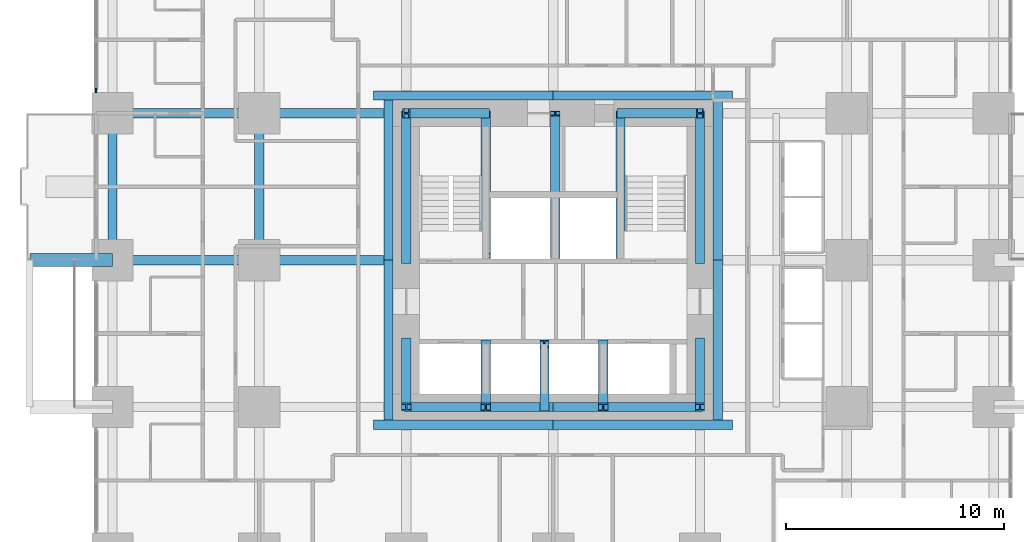
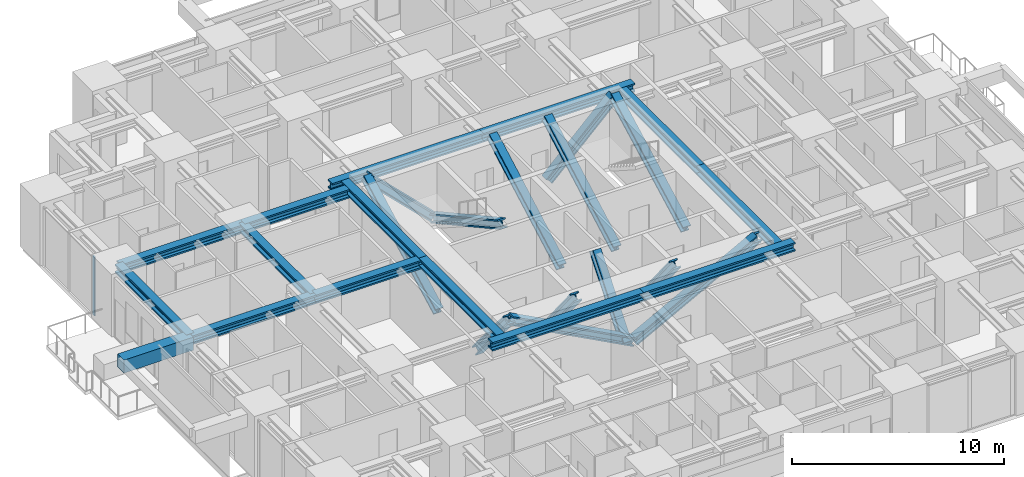
# One storey, part 3 of 14: 15 beams, 15 members, 1 element without a shape of its own.
"""IFC4 building model written with IfcOpenShell, lengths in metres."""

from ifc_helpers import new_model, si_unit, direction, frame, origin, origin_2d, place, context, subcontext, project, spatial, rectangle, i_section, extrude, material, material_profile, profile_set, type_object, element, aggregate, save


model = new_model("IFC4")

# Units and contexts
model_context = context("Model", 3, precision=1e-05, world=origin(), true_north=direction((0.0, 1.0)))
body_context = subcontext(model_context, "Body", "Model", "MODEL_VIEW")
ifc_project = project(units=[si_unit("LENGTHUNIT", "METRE"), si_unit("AREAUNIT", "SQUARE_METRE"), si_unit("VOLUMEUNIT", "CUBIC_METRE"), si_unit("PLANEANGLEUNIT", "RADIAN"), si_unit("MASSUNIT", "GRAM", prefix="KILO")], contexts=[model_context])

# Site, building, storey
site_placement = place(None, origin())
site = spatial("IfcSite", under=ifc_project, at=site_placement, CompositionType="ELEMENT")
building_placement = place(site_placement, origin())
building = spatial("IfcBuilding", under=site, at=building_placement, Name="Nyansa Garden Tower", CompositionType="ELEMENT")
storey_placement = place(building_placement, frame((0.0, 0.0, 21.60009765625)))
storey = spatial("IfcBuildingStorey", under=building, at=storey_placement, Name="L05", CompositionType="ELEMENT", Elevation=21.60009765625)

# Beam
ifc_material_1 = material(Name="Concrete C70/85", Category="concrete")
ifc_material_profile_1 = material_profile(ifc_material_1, rectangle(XDim=0.60009765625, YDim=0.75, at=origin_2d()), Name="RC 600x750")
ifc_profile_set_1 = profile_set([ifc_material_profile_1], Name="Concrete C70/85")
beam_type_1 = type_object("IfcBeamType", Name="Balcony cantilever beam CB1 RC 600x750", PredefinedType="BEAM", material=ifc_profile_set_1)
beam_1_placement = place(storey_placement, frame((0.0, 20.25, 2.98486328125), z_axis=(-1.0, 0.0, 0.0), x_axis=(0.0, -1.0, 0.0)))
element("IfcBeam", 1, at=beam_1_placement, inside=storey, type_object=beam_type_1, Name="Balcony cantilever beam L06", PredefinedType="BEAM", context=body_context, shape_type="SweptSolid", body=[
    extrude(rectangle(XDim=0.60009765625, YDim=0.75, at=origin_2d()), origin(), (0.0, 0.0, 1.0), 3.800048828125),
])

# Curtain wall, member
ifc_material_2 = material(Name="Black anodised aluminium, dark tinted double glazing", Category="aluminium")
curtain_wall_type = type_object("IfcCurtainWallType", Name="Inner skin curtain wall ISW-A", PredefinedType="USERDEFINED", material=ifc_material_2)
curtain_wall_placement = place(storey_placement, origin())
curtain_wall = element("IfcCurtainWall", 2, at=curtain_wall_placement, inside=storey, type_object=curtain_wall_type, Name="Inner skin curtain wall L05 W", ObjectType="UNITISED CURTAIN WALL", PredefinedType="USERDEFINED")
ifc_material_3 = material(Name="Black anodised aluminium", Category="aluminium")
ifc_material_profile_2 = material_profile(ifc_material_3, rectangle(XDim=0.06494140625, YDim=0.199951171875, at=origin_2d()), Name="Mullion 200x65")
ifc_profile_set_2 = profile_set([ifc_material_profile_2], Name="Black anodised aluminium")
member_type_1 = type_object("IfcMemberType", Name="Mullion ISW-A 200x65", PredefinedType="MULLION", material=ifc_profile_set_2)
member_1_placement = place(storey_placement, frame((-0.75, 28.050048828125, 0.0), z_axis=(0.0, 0.0, 1.0), x_axis=(1.0, 0.0, 0.0)))
member_1 = element("IfcMember", 3, at=member_1_placement, type_object=member_type_1, Name="ISW-A mullion 3", PredefinedType="MULLION", context=body_context, shape_type="SweptSolid", body=[
    extrude(rectangle(XDim=0.06494140625, YDim=0.199951171875, at=origin_2d()), origin(), (0.0, 0.0, 1.0), 3.375),
])
aggregate(curtain_wall, [member_1])

# Members
ifc_material_4 = material(Name="Steel S355", Category="steel")
ifc_material_profile_3 = material_profile(ifc_material_4, i_section(OverallWidth=0.424072265625, OverallDepth=0.47412109375, WebThickness=0.047607421875, FlangeThickness=0.076904296875, FilletRadius=0.014892578125, at=origin_2d()), Name="HD 400x634")
ifc_profile_set_3 = profile_set([ifc_material_profile_3], Name="Steel S355")
member_type_2 = type_object("IfcMemberType", Name="Perimeter brace HD 400x634", PredefinedType="BRACE", material=ifc_profile_set_3)
for number, where, z_axis, x_axis, name in (
    (4, (20.25, 13.5, 0.0), (-0.882360891967, 0.0, 0.470573327259), (0.0, -1.0, 0.0), "Core brace CS1 L05"),
    (5, (20.25, 13.5, 0.0), (0.882360891967, 0.0, 0.470573327259), (0.0, 1.0, 0.0), "Core brace CS2 L05"),
):
    element("IfcMember", number, at=place(storey_placement, frame(where, z_axis=z_axis, x_axis=x_axis)), inside=storey, type_object=member_type_2, Name=name, PredefinedType="BRACE", context=body_context, shape_type="SweptSolid", body=[
        extrude(i_section(OverallWidth=0.424072265625, OverallDepth=0.47412109375, WebThickness=0.047607421875, FlangeThickness=0.076904296875, FilletRadius=0.014892578125, at=origin_2d()), origin(), (0.0, 0.0, 1.0), 7.64990234375),
    ])
for number, where, z_axis, x_axis, name in (
    (6, (17.14990234375, 27.0, 0.0), (-0.711971340796, 0.0, 0.702208523079), (0.0, -1.0, 0.0), "Core brace CN3 L05"),
    (7, (23.35009765625, 27.0, 0.0), (0.711971340796, 0.0, 0.702208523079), (0.0, 1.0, 0.0), "Core brace CN4 L05"),
):
    element("IfcMember", number, at=place(storey_placement, frame(where, z_axis=z_axis, x_axis=x_axis)), inside=storey, type_object=member_type_2, Name=name, PredefinedType="BRACE", context=body_context, shape_type="SweptSolid", body=[
        extrude(i_section(OverallWidth=0.424072265625, OverallDepth=0.47412109375, WebThickness=0.047607421875, FlangeThickness=0.076904296875, FilletRadius=0.014892578125, at=origin_2d()), origin(), (0.0, 0.0, 1.0), 5.12646484375),
    ])
member_2_placement = place(storey_placement, frame((13.5, 16.5, 0.0), z_axis=(0.0, -0.640199773186, 0.768208468069), x_axis=(1.0, 0.0, 0.0)))
element("IfcMember", 8, at=member_2_placement, inside=storey, type_object=member_type_2, Name="Core brace CW5 L05", PredefinedType="BRACE", context=body_context, shape_type="SweptSolid", body=[
    extrude(i_section(OverallWidth=0.424072265625, OverallDepth=0.47412109375, WebThickness=0.047607421875, FlangeThickness=0.076904296875, FilletRadius=0.014892578125, at=origin_2d()), origin(), (0.0, 0.0, 1.0), 4.68603515625),
])
member_3_placement = place(storey_placement, frame((13.5, 20.199951171875, 0.0), z_axis=(0.0, 0.883797178129, 0.467870225524), x_axis=(-1.0, 0.0, 0.0)))
element("IfcMember", 9, at=member_3_placement, inside=storey, type_object=member_type_2, Name="Core brace CW6 L05", PredefinedType="BRACE", context=body_context, shape_type="SweptSolid", body=[
    extrude(i_section(OverallWidth=0.424072265625, OverallDepth=0.47412109375, WebThickness=0.047607421875, FlangeThickness=0.076904296875, FilletRadius=0.014892578125, at=origin_2d()), origin(), (0.0, 0.0, 1.0), 7.694091796875),
])
member_4_placement = place(storey_placement, frame((27.0, 16.5, 0.0), z_axis=(0.0, -0.640199773186, 0.768208468069), x_axis=(1.0, 0.0, 0.0)))
element("IfcMember", 10, at=member_4_placement, inside=storey, type_object=member_type_2, Name="Core brace CE7 L05", PredefinedType="BRACE", context=body_context, shape_type="SweptSolid", body=[
    extrude(i_section(OverallWidth=0.424072265625, OverallDepth=0.47412109375, WebThickness=0.047607421875, FlangeThickness=0.076904296875, FilletRadius=0.014892578125, at=origin_2d()), origin(), (0.0, 0.0, 1.0), 4.68603515625),
])
member_5_placement = place(storey_placement, frame((27.0, 20.199951171875, 0.0), z_axis=(0.0, 0.883797178129, 0.467870225524), x_axis=(-1.0, 0.0, 0.0)))
element("IfcMember", 11, at=member_5_placement, inside=storey, type_object=member_type_2, Name="Core brace CE8 L05", PredefinedType="BRACE", context=body_context, shape_type="SweptSolid", body=[
    extrude(i_section(OverallWidth=0.424072265625, OverallDepth=0.47412109375, WebThickness=0.047607421875, FlangeThickness=0.076904296875, FilletRadius=0.014892578125, at=origin_2d()), origin(), (0.0, 0.0, 1.0), 7.694091796875),
])
for number, where, z_axis, x_axis, name in (
    (12, (17.14990234375, 27.0, 0.0), (0.0, -0.876366901673, 0.481644115143), (1.0, 0.0, 0.0), "Core brace CWS9 L05"),
    (13, (23.35009765625, 20.449951171875, 0.0), (0.0, 0.876366901673, 0.481644115143), (-1.0, 0.0, 0.0), "Core brace CES10 L05"),
):
    element("IfcMember", number, at=place(storey_placement, frame(where, z_axis=z_axis, x_axis=x_axis)), inside=storey, type_object=member_type_2, Name=name, PredefinedType="BRACE", context=body_context, shape_type="SweptSolid", body=[
        extrude(i_section(OverallWidth=0.424072265625, OverallDepth=0.47412109375, WebThickness=0.047607421875, FlangeThickness=0.076904296875, FilletRadius=0.014892578125, at=origin_2d()), origin(), (0.0, 0.0, 1.0), 7.47412109375),
    ])
for number, where, z_axis, x_axis, name in (
    (14, (17.14990234375, 16.39990234375, 0.0), (0.0, -0.627332207022, 0.778751758928), (1.0, 0.0, 0.0), "Core brace CSW11 L05"),
    (15, (19.85009765625, 13.5, 0.0), (0.0, 0.627332207022, 0.778751758928), (-1.0, 0.0, 0.0), "Core brace CSW12 L05"),
    (16, (22.550048828125, 16.39990234375, 0.0), (0.0, -0.627332207022, 0.778751758928), (1.0, 0.0, 0.0), "Core brace CSW13 L05"),
):
    element("IfcMember", number, at=place(storey_placement, frame(where, z_axis=z_axis, x_axis=x_axis)), inside=storey, type_object=member_type_2, Name=name, PredefinedType="BRACE", context=body_context, shape_type="SweptSolid", body=[
        extrude(i_section(OverallWidth=0.424072265625, OverallDepth=0.47412109375, WebThickness=0.047607421875, FlangeThickness=0.076904296875, FilletRadius=0.014892578125, at=origin_2d()), origin(), (0.0, 0.0, 1.0), 4.62255859375),
    ])
member_6_placement = place(storey_placement, frame((20.35009765625, 20.449951171875, 0.0), z_axis=(0.0, 0.876366901673, 0.481644115143), x_axis=(-1.0, 0.0, 0.0)))
element("IfcMember", 17, at=member_6_placement, inside=storey, type_object=member_type_2, Name="Core brace CNW14 L05", PredefinedType="BRACE", context=body_context, shape_type="SweptSolid", body=[
    extrude(i_section(OverallWidth=0.424072265625, OverallDepth=0.47412109375, WebThickness=0.047607421875, FlangeThickness=0.076904296875, FilletRadius=0.014892578125, at=origin_2d()), origin(), (0.0, 0.0, 1.0), 7.47412109375),
])

# Beams
ifc_material_5 = material(Name="Steel S355", Category="steel")
ifc_material_profile_4 = material_profile(ifc_material_5, i_section(OverallWidth=0.431884765625, OverallDepth=0.498046875, WebThickness=0.0556640625, FlangeThickness=0.0888671875, FilletRadius=0.014892578125, at=origin_2d()), Name="HD 400x744")
ifc_profile_set_4 = profile_set([ifc_material_profile_4], Name="Steel S355")
beam_type_2 = type_object("IfcBeamType", Name="Steel beam SBA1-744 HD 400x744", PredefinedType="BEAM", material=ifc_profile_set_4)
for number, where, z_axis, x_axis, name in (
    (18, (0.0, 20.25, 3.1259765625), (1.0, 0.0, 0.0), (0.0, 1.0, 0.0), "Steel beam 2/G-3/G L06"),
    (19, (0.0, 27.0, 3.1259765625), (1.0, 0.0, 0.0), (0.0, 1.0, 0.0), "Steel beam 2/H-3/H L06"),
    (20, (6.75, 20.25, 3.1259765625), (0.0, 1.0, 0.0), (-1.0, 0.0, 0.0), "Steel beam 3/G-3/H L06"),
):
    element("IfcBeam", number, at=place(storey_placement, frame(where, z_axis=z_axis, x_axis=x_axis)), inside=storey, type_object=beam_type_2, Name=name, PredefinedType="BEAM", context=body_context, shape_type="SweptSolid", body=[
        extrude(i_section(OverallWidth=0.431884765625, OverallDepth=0.498046875, WebThickness=0.0556640625, FlangeThickness=0.0888671875, FilletRadius=0.014892578125, at=origin_2d()), origin(), (0.0, 0.0, 1.0), 6.75),
    ])
for number, where, z_axis, x_axis, name in (
    (21, (6.75, 20.25, 3.1259765625), (1.0, 0.0, 0.0), (0.0, 1.0, 0.0), "Steel beam 3/G-12.450/G L06"),
    (22, (6.75, 27.0, 3.1259765625), (1.0, 0.0, 0.0), (0.0, 1.0, 0.0), "Steel beam 3/H-12.450/H L06"),
):
    element("IfcBeam", number, at=place(storey_placement, frame(where, z_axis=z_axis, x_axis=x_axis)), inside=storey, type_object=beam_type_2, Name=name, PredefinedType="BEAM", context=body_context, shape_type="SweptSolid", body=[
        extrude(i_section(OverallWidth=0.431884765625, OverallDepth=0.498046875, WebThickness=0.0556640625, FlangeThickness=0.0888671875, FilletRadius=0.014892578125, at=origin_2d()), origin(), (0.0, 0.0, 1.0), 5.699951171875),
    ])
ifc_material_6 = material(Name="Steel S355", Category="steel")
ifc_material_profile_5 = material_profile(ifc_material_6, i_section(OverallWidth=0.431884765625, OverallDepth=0.498046875, WebThickness=0.0556640625, FlangeThickness=0.0888671875, FilletRadius=0.014892578125, at=origin_2d()), Name="HD 400x744")
ifc_profile_set_5 = profile_set([ifc_material_profile_5], Name="Steel S355")
beam_type_3 = type_object("IfcBeamType", Name="Steel beam SEBA-744 HD 400x744", PredefinedType="BEAM", material=ifc_profile_set_5)
beam_2_placement = place(storey_placement, frame((0.0, 20.25, 3.1259765625), z_axis=(0.0, 1.0, 0.0), x_axis=(-1.0, 0.0, 0.0)))
element("IfcBeam", 23, at=beam_2_placement, inside=storey, type_object=beam_type_3, Name="Steel edge beam 2/G-2/H L06", PredefinedType="BEAM", context=body_context, shape_type="SweptSolid", body=[
    extrude(i_section(OverallWidth=0.431884765625, OverallDepth=0.498046875, WebThickness=0.0556640625, FlangeThickness=0.0888671875, FilletRadius=0.014892578125, at=origin_2d()), origin(), (0.0, 0.0, 1.0), 6.75),
])
ifc_material_7 = material(Name="Steel S355", Category="steel")
ifc_material_profile_6 = material_profile(ifc_material_7, i_section(OverallWidth=0.431884765625, OverallDepth=0.498046875, WebThickness=0.0556640625, FlangeThickness=0.0888671875, FilletRadius=0.014892578125, at=origin_2d()), Name="HD 400x744")
ifc_profile_set_6 = profile_set([ifc_material_profile_6], Name="Steel S355")
beam_type_4 = type_object("IfcBeamType", Name="Steel beam SLB1-744 HD 400x744", PredefinedType="BEAM", material=ifc_profile_set_6)
for number, where, z_axis, x_axis, name in (
    (24, (12.0, 12.68408203125, 3.1259765625), (1.0, 0.0, 0.0), (0.0, 1.0, 0.0), "Steel core ledger beam S.1 L06"),
    (25, (20.25, 12.68408203125, 3.1259765625), (1.0, 0.0, 0.0), (0.0, 1.0, 0.0), "Steel core ledger beam S.2 L06"),
):
    element("IfcBeam", number, at=place(storey_placement, frame(where, z_axis=z_axis, x_axis=x_axis)), inside=storey, type_object=beam_type_4, Name=name, PredefinedType="BEAM", context=body_context, shape_type="SweptSolid", body=[
        extrude(i_section(OverallWidth=0.431884765625, OverallDepth=0.498046875, WebThickness=0.0556640625, FlangeThickness=0.0888671875, FilletRadius=0.014892578125, at=origin_2d()), origin(), (0.0, 0.0, 1.0), 8.25),
    ])
for number, where, z_axis, x_axis, name in (
    (26, (27.81591796875, 12.89990234375, 3.1259765625), (0.0, 1.0, 0.0), (-1.0, 0.0, 0.0), "Steel core ledger beam E.1 L06"),
    (27, (27.81591796875, 20.25, 3.1259765625), (0.0, 1.0, 0.0), (-1.0, 0.0, 0.0), "Steel core ledger beam E.2 L06"),
):
    element("IfcBeam", number, at=place(storey_placement, frame(where, z_axis=z_axis, x_axis=x_axis)), inside=storey, type_object=beam_type_4, Name=name, PredefinedType="BEAM", context=body_context, shape_type="SweptSolid", body=[
        extrude(i_section(OverallWidth=0.431884765625, OverallDepth=0.498046875, WebThickness=0.0556640625, FlangeThickness=0.0888671875, FilletRadius=0.014892578125, at=origin_2d()), origin(), (0.0, 0.0, 1.0), 7.35009765625),
    ])
for number, where, z_axis, x_axis, name in (
    (28, (28.5, 27.81591796875, 3.1259765625), (-1.0, 0.0, 0.0), (0.0, -1.0, 0.0), "Steel core ledger beam N.1 L06"),
    (29, (20.25, 27.81591796875, 3.1259765625), (-1.0, 0.0, 0.0), (0.0, -1.0, 0.0), "Steel core ledger beam N.2 L06"),
):
    element("IfcBeam", number, at=place(storey_placement, frame(where, z_axis=z_axis, x_axis=x_axis)), inside=storey, type_object=beam_type_4, Name=name, PredefinedType="BEAM", context=body_context, shape_type="SweptSolid", body=[
        extrude(i_section(OverallWidth=0.431884765625, OverallDepth=0.498046875, WebThickness=0.0556640625, FlangeThickness=0.0888671875, FilletRadius=0.014892578125, at=origin_2d()), origin(), (0.0, 0.0, 1.0), 8.25),
    ])
for number, where, z_axis, x_axis, name in (
    (30, (12.68408203125, 27.60009765625, 3.1259765625), (0.0, -1.0, 0.0), (1.0, 0.0, 0.0), "Steel core ledger beam W.1 L06"),
    (31, (12.68408203125, 20.25, 3.1259765625), (0.0, -1.0, 0.0), (1.0, 0.0, 0.0), "Steel core ledger beam W.2 L06"),
):
    element("IfcBeam", number, at=place(storey_placement, frame(where, z_axis=z_axis, x_axis=x_axis)), inside=storey, type_object=beam_type_4, Name=name, PredefinedType="BEAM", context=body_context, shape_type="SweptSolid", body=[
        extrude(i_section(OverallWidth=0.431884765625, OverallDepth=0.498046875, WebThickness=0.0556640625, FlangeThickness=0.0888671875, FilletRadius=0.014892578125, at=origin_2d()), origin(), (0.0, 0.0, 1.0), 7.35009765625),
    ])

save(model, "model.ifc")
